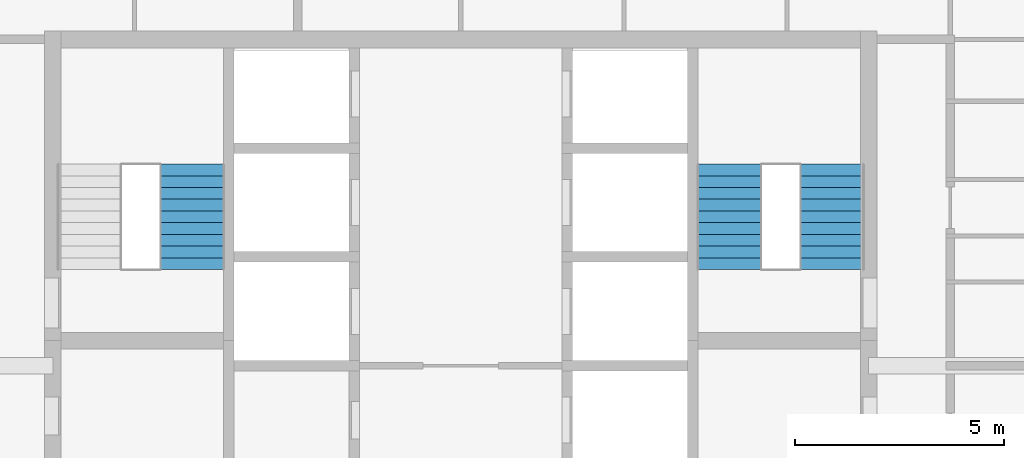
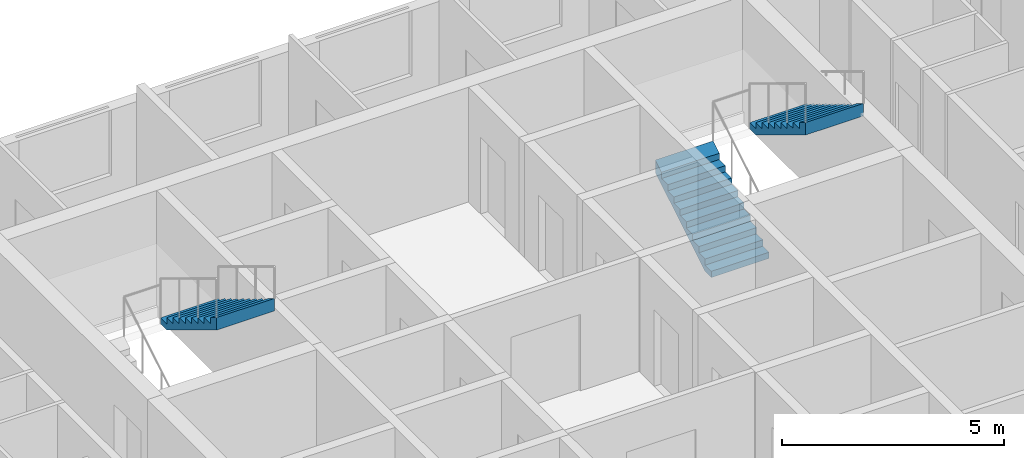
# One storey, part 14 of 15: 3 stair flights, 2 elements without a shape of their own.
"""IFC4 building model written with IfcOpenShell, lengths in metres."""

from ifc_helpers import new_model, si_unit, direction, frame, origin, place, context, subcontext, project, spatial, triangles, material, type_object, element, aggregate, save


model = new_model("IFC4")

# Units and contexts
model_context = context("Model", 3, precision=1e-05, world=origin(), true_north=direction((0.0, 1.0)))
body_context = subcontext(model_context, "Body", "Model", "MODEL_VIEW")
ifc_project = project(units=[si_unit("LENGTHUNIT", "METRE"), si_unit("AREAUNIT", "SQUARE_METRE"), si_unit("VOLUMEUNIT", "CUBIC_METRE"), si_unit("PLANEANGLEUNIT", "RADIAN"), si_unit("MASSUNIT", "GRAM", prefix="KILO")], contexts=[model_context])

# Site, building, storey
site_placement = place(None, origin())
site = spatial("IfcSite", under=ifc_project, at=site_placement, CompositionType="ELEMENT")
building_placement = place(site_placement, origin())
building = spatial("IfcBuilding", under=site, at=building_placement, Name="Ludao Terraces", CompositionType="ELEMENT")
storey_placement = place(building_placement, frame((0.0, 0.0, 197.300048828125)))
storey = spatial("IfcBuildingStorey", under=building, at=storey_placement, Name="L53", CompositionType="ELEMENT", Elevation=197.300048828125)

# Stair, stair flight
ifc_material = material(Name="Concrete C40", Category="concrete")
stair_type = type_object("IfcStairType", Name="INT Stair", PredefinedType="HALF_TURN_STAIR", material=ifc_material)
stair_1_placement = place(storey_placement, origin())
stair_1 = element("IfcStair", 1, at=stair_1_placement, inside=storey, type_object=stair_type, Name="EXIT STAIR 1", PredefinedType="HALF_TURN_STAIR")
stair_flight_type = type_object("IfcStairFlightType", Name="INT Stair flight", PredefinedType="STRAIGHT", material=ifc_material)
stair_flight_1_placement = place(storey_placement, frame((78.574951171875, 81.52001953125, 1.699951171875), z_axis=(0.0, 0.0, 1.0), x_axis=(0.0, -1.0, 0.0)))
stair_flight_1 = element("IfcStairFlight", 2, at=stair_flight_1_placement, type_object=stair_flight_type, Name="ST1 flight 2", NumberOfRisers=10, NumberOfTreads=9, PredefinedType="STRAIGHT", RiserHeight=0.17, TreadLength=0.28, context=body_context, shape_type="Tessellation", body=[
    triangles([(0.0, -0.75, 0.0), (0.0, -0.5, 0.0), (0.0, -0.25, 0.0), (0.0, 0.0, 0.0), (0.0, 0.25, 0.0), (0.0, 0.5, 0.0), (0.0, 0.75, 0.0), (0.0, -0.75, 0.169921875), (0.0, -0.5, 0.169921875), (0.0, -0.25, 0.169921875), (0.0, 0.0, 0.169921875), (0.0, 0.25, 0.169921875), (0.0, 0.5, 0.169921875), (0.0, 0.75, 0.169921875), (0.280029296875, -0.75, 0.169921875), (0.280029296875, -0.5, 0.169921875), (0.280029296875, -0.25, 0.169921875), (0.280029296875, 0.0, 0.169921875), (0.280029296875, 0.25, 0.169921875), (0.280029296875, 0.5, 0.169921875), (0.280029296875, 0.75, 0.169921875), (0.280029296875, -0.75, 0.340087890625), (0.280029296875, -0.5, 0.340087890625), (0.280029296875, -0.25, 0.340087890625), (0.280029296875, 0.0, 0.340087890625), (0.280029296875, 0.25, 0.340087890625), (0.280029296875, 0.5, 0.340087890625), (0.280029296875, 0.75, 0.340087890625), (0.56005859375, -0.75, 0.340087890625), (0.56005859375, -0.5, 0.340087890625), (0.56005859375, -0.25, 0.340087890625), (0.56005859375, 0.0, 0.340087890625), (0.56005859375, 0.25, 0.340087890625), (0.56005859375, 0.5, 0.340087890625), (0.56005859375, 0.75, 0.340087890625), (0.56005859375, -0.75, 0.510009765625), (0.56005859375, -0.5, 0.510009765625), (0.56005859375, -0.25, 0.510009765625), (0.56005859375, 0.0, 0.510009765625), (0.56005859375, 0.25, 0.510009765625), (0.56005859375, 0.5, 0.510009765625), (0.56005859375, 0.75, 0.510009765625), (0.840087890625, -0.75, 0.510009765625), (0.840087890625, -0.5, 0.510009765625), (0.840087890625, -0.25, 0.510009765625), (0.840087890625, 0.0, 0.510009765625), (0.840087890625, 0.25, 0.510009765625), (0.840087890625, 0.5, 0.510009765625), (0.840087890625, 0.75, 0.510009765625), (0.840087890625, -0.75, 0.679931640625), (0.840087890625, -0.5, 0.679931640625), (0.840087890625, -0.25, 0.679931640625), (0.840087890625, 0.0, 0.679931640625), (0.840087890625, 0.25, 0.679931640625), (0.840087890625, 0.5, 0.679931640625), (0.840087890625, 0.75, 0.679931640625), (1.1201171875, -0.75, 0.679931640625), (1.1201171875, -0.5, 0.679931640625), (1.1201171875, -0.25, 0.679931640625), (1.1201171875, 0.0, 0.679931640625), (1.1201171875, 0.25, 0.679931640625), (1.1201171875, 0.5, 0.679931640625), (1.1201171875, 0.75, 0.679931640625), (1.1201171875, -0.75, 0.85009765625), (1.1201171875, -0.5, 0.85009765625), (1.1201171875, -0.25, 0.85009765625), (1.1201171875, 0.0, 0.85009765625), (1.1201171875, 0.25, 0.85009765625), (1.1201171875, 0.5, 0.85009765625), (1.1201171875, 0.75, 0.85009765625), (1.39990234375, -0.75, 0.85009765625), (1.39990234375, -0.5, 0.85009765625), (1.39990234375, -0.25, 0.85009765625), (1.39990234375, 0.0, 0.85009765625), (1.39990234375, 0.25, 0.85009765625), (1.39990234375, 0.5, 0.85009765625), (1.39990234375, 0.75, 0.85009765625), (1.39990234375, -0.75, 1.02001953125), (1.39990234375, -0.5, 1.02001953125), (1.39990234375, -0.25, 1.02001953125), (1.39990234375, 0.0, 1.02001953125), (1.39990234375, 0.25, 1.02001953125), (1.39990234375, 0.5, 1.02001953125), (1.39990234375, 0.75, 1.02001953125), (1.679931640625, -0.75, 1.02001953125), (1.679931640625, -0.5, 1.02001953125), (1.679931640625, -0.25, 1.02001953125), (1.679931640625, 0.0, 1.02001953125), (1.679931640625, 0.25, 1.02001953125), (1.679931640625, 0.5, 1.02001953125), (1.679931640625, 0.75, 1.02001953125), (1.679931640625, -0.75, 1.18994140625), (1.679931640625, -0.5, 1.18994140625), (1.679931640625, -0.25, 1.18994140625), (1.679931640625, 0.0, 1.18994140625), (1.679931640625, 0.25, 1.18994140625), (1.679931640625, 0.5, 1.18994140625), (1.679931640625, 0.75, 1.18994140625), (1.9599609375, -0.75, 1.18994140625), (1.9599609375, -0.5, 1.18994140625), (1.9599609375, -0.25, 1.18994140625), (1.9599609375, 0.0, 1.18994140625), (1.9599609375, 0.25, 1.18994140625), (1.9599609375, 0.5, 1.18994140625), (1.9599609375, 0.75, 1.18994140625), (1.9599609375, -0.75, 1.360107421875), (1.9599609375, -0.5, 1.360107421875), (1.9599609375, -0.25, 1.360107421875), (1.9599609375, 0.0, 1.360107421875), (1.9599609375, 0.25, 1.360107421875), (1.9599609375, 0.5, 1.360107421875), (1.9599609375, 0.75, 1.360107421875), (2.239990234375, -0.75, 1.360107421875), (2.239990234375, -0.5, 1.360107421875), (2.239990234375, -0.25, 1.360107421875), (2.239990234375, 0.0, 1.360107421875), (2.239990234375, 0.25, 1.360107421875), (2.239990234375, 0.5, 1.360107421875), (2.239990234375, 0.75, 1.360107421875), (2.239990234375, -0.75, 1.530029296875), (2.239990234375, -0.5, 1.530029296875), (2.239990234375, -0.25, 1.530029296875), (2.239990234375, 0.0, 1.530029296875), (2.239990234375, 0.25, 1.530029296875), (2.239990234375, 0.5, 1.530029296875), (2.239990234375, 0.75, 1.530029296875), (2.52001953125, -0.75, 1.699951171875), (2.52001953125, -0.5, 1.699951171875), (2.52001953125, -0.25, 1.699951171875), (2.52001953125, 0.0, 1.699951171875), (2.52001953125, 0.25, 1.699951171875), (2.52001953125, 0.5, 1.699951171875), (2.52001953125, 0.75, 1.699951171875), (2.52001953125, -0.75, 1.354736328125), (2.52001953125, -0.5, 1.354736328125), (2.52001953125, -0.25, 1.354736328125), (2.52001953125, 0.0, 1.354736328125), (2.52001953125, 0.25, 1.354736328125), (2.52001953125, 0.5, 1.354736328125), (2.52001953125, 0.75, 1.354736328125), (0.288818359375, -0.75, 0.0), (0.288818359375, -0.5, 0.0), (0.288818359375, -0.25, 0.0), (0.288818359375, 0.0, 0.0), (0.288818359375, 0.25, 0.0), (0.288818359375, 0.5, 0.0), (0.288818359375, 0.75, 0.0)], [[1, 141, 134], [7, 140, 147], [134, 127, 120], [140, 126, 133], [134, 120, 113], [140, 119, 126], [134, 113, 106], [140, 112, 119], [134, 106, 99], [140, 105, 112], [99, 92, 85], [105, 91, 98], [134, 99, 85], [140, 91, 105], [85, 78, 71], [91, 77, 84], [134, 85, 71], [140, 77, 91], [71, 64, 57], [77, 63, 70], [134, 71, 57], [140, 63, 77], [57, 50, 43], [63, 49, 56], [134, 57, 43], [140, 49, 63], [43, 36, 29], [49, 35, 42], [134, 43, 29], [140, 35, 49], [29, 22, 15], [35, 21, 28], [134, 29, 15], [140, 21, 35], [1, 134, 15], [7, 21, 140], [15, 8, 1], [21, 7, 14], [1, 9, 2], [1, 8, 9], [2, 10, 3], [2, 9, 10], [3, 11, 4], [3, 10, 11], [4, 12, 5], [4, 11, 12], [5, 13, 6], [5, 12, 13], [6, 14, 7], [6, 13, 14], [8, 16, 9], [8, 15, 16], [9, 17, 10], [9, 16, 17], [10, 18, 11], [10, 17, 18], [11, 19, 12], [11, 18, 19], [12, 20, 13], [12, 19, 20], [13, 21, 14], [13, 20, 21], [15, 23, 16], [15, 22, 23], [16, 24, 17], [16, 23, 24], [17, 25, 18], [17, 24, 25], [18, 26, 19], [18, 25, 26], [19, 27, 20], [19, 26, 27], [20, 28, 21], [20, 27, 28], [22, 30, 23], [22, 29, 30], [23, 31, 24], [23, 30, 31], [24, 32, 25], [24, 31, 32], [25, 33, 26], [25, 32, 33], [26, 34, 27], [26, 33, 34], [27, 35, 28], [27, 34, 35], [29, 37, 30], [29, 36, 37], [30, 38, 31], [30, 37, 38], [31, 39, 32], [31, 38, 39], [32, 40, 33], [32, 39, 40], [33, 41, 34], [33, 40, 41], [34, 42, 35], [34, 41, 42], [36, 44, 37], [36, 43, 44], [37, 45, 38], [37, 44, 45], [38, 46, 39], [38, 45, 46], [39, 47, 40], [39, 46, 47], [40, 48, 41], [40, 47, 48], [41, 49, 42], [41, 48, 49], [43, 51, 44], [43, 50, 51], [44, 52, 45], [44, 51, 52], [45, 53, 46], [45, 52, 53], [46, 54, 47], [46, 53, 54], [47, 55, 48], [47, 54, 55], [48, 56, 49], [48, 55, 56], [50, 58, 51], [50, 57, 58], [51, 59, 52], [51, 58, 59], [52, 60, 53], [52, 59, 60], [53, 61, 54], [53, 60, 61], [54, 62, 55], [54, 61, 62], [55, 63, 56], [55, 62, 63], [57, 65, 58], [57, 64, 65], [58, 66, 59], [58, 65, 66], [59, 67, 60], [59, 66, 67], [60, 68, 61], [60, 67, 68], [61, 69, 62], [61, 68, 69], [62, 70, 63], [62, 69, 70], [64, 72, 65], [64, 71, 72], [65, 73, 66], [65, 72, 73], [66, 74, 67], [66, 73, 74], [67, 75, 68], [67, 74, 75], [68, 76, 69], [68, 75, 76], [69, 77, 70], [69, 76, 77], [71, 79, 72], [71, 78, 79], [72, 80, 73], [72, 79, 80], [73, 81, 74], [73, 80, 81], [74, 82, 75], [74, 81, 82], [75, 83, 76], [75, 82, 83], [76, 84, 77], [76, 83, 84], [78, 86, 79], [78, 85, 86], [79, 87, 80], [79, 86, 87], [80, 88, 81], [80, 87, 88], [81, 89, 82], [81, 88, 89], [82, 90, 83], [82, 89, 90], [83, 91, 84], [83, 90, 91], [85, 93, 86], [85, 92, 93], [86, 94, 87], [86, 93, 94], [87, 95, 88], [87, 94, 95], [88, 96, 89], [88, 95, 96], [89, 97, 90], [89, 96, 97], [90, 98, 91], [90, 97, 98], [92, 100, 93], [92, 99, 100], [93, 101, 94], [93, 100, 101], [94, 102, 95], [94, 101, 102], [95, 103, 96], [95, 102, 103], [96, 104, 97], [96, 103, 104], [97, 105, 98], [97, 104, 105], [99, 107, 100], [99, 106, 107], [100, 108, 101], [100, 107, 108], [101, 109, 102], [101, 108, 109], [102, 110, 103], [102, 109, 110], [103, 111, 104], [103, 110, 111], [104, 112, 105], [104, 111, 112], [106, 114, 107], [106, 113, 114], [107, 115, 108], [107, 114, 115], [108, 116, 109], [108, 115, 116], [109, 117, 110], [109, 116, 117], [110, 118, 111], [110, 117, 118], [111, 119, 112], [111, 118, 119], [113, 121, 114], [113, 120, 121], [114, 122, 115], [114, 121, 122], [115, 123, 116], [115, 122, 123], [116, 124, 117], [116, 123, 124], [117, 125, 118], [117, 124, 125], [118, 126, 119], [118, 125, 126], [120, 128, 121], [120, 127, 128], [121, 129, 122], [121, 128, 129], [122, 130, 123], [122, 129, 130], [123, 131, 124], [123, 130, 131], [124, 132, 125], [124, 131, 132], [125, 133, 126], [125, 132, 133], [127, 135, 128], [127, 134, 135], [128, 136, 129], [128, 135, 136], [129, 137, 130], [129, 136, 137], [130, 138, 131], [130, 137, 138], [131, 139, 132], [131, 138, 139], [132, 140, 133], [132, 139, 140], [134, 142, 135], [134, 141, 142], [135, 143, 136], [135, 142, 143], [136, 144, 137], [136, 143, 144], [137, 145, 138], [137, 144, 145], [138, 146, 139], [138, 145, 146], [139, 147, 140], [139, 146, 147], [141, 2, 142], [141, 1, 2], [142, 3, 143], [142, 2, 3], [143, 4, 144], [143, 3, 4], [144, 5, 145], [144, 4, 5], [145, 6, 146], [145, 5, 6], [146, 7, 147], [146, 6, 7]], closed=True),
])
aggregate(stair_1, [stair_flight_1])

# Stair, stair flights
stair_2_placement = place(storey_placement, origin())
stair_2 = element("IfcStair", 3, at=stair_2_placement, inside=storey, type_object=stair_type, Name="EXIT STAIR 2", PredefinedType="HALF_TURN_STAIR")
stair_flight_2_placement = place(storey_placement, frame((91.425048828125, 79.0, 0.0), z_axis=(0.0, 0.0, 1.0), x_axis=(0.0, 1.0, 0.0)))
stair_flight_2 = element("IfcStairFlight", 4, at=stair_flight_2_placement, type_object=stair_flight_type, Name="ST2 flight 1", NumberOfRisers=10, NumberOfTreads=9, PredefinedType="STRAIGHT", RiserHeight=0.17, TreadLength=0.28, context=body_context, shape_type="Tessellation", body=[
    triangles([(0.0, -0.75, 0.0), (0.0, -0.5, 0.0), (0.0, -0.25, 0.0), (0.0, 0.0, 0.0), (0.0, 0.25, 0.0), (0.0, 0.5, 0.0), (0.0, 0.75, 0.0), (0.0, -0.75, 0.169921875), (0.0, -0.5, 0.169921875), (0.0, -0.25, 0.169921875), (0.0, 0.0, 0.169921875), (0.0, 0.25, 0.169921875), (0.0, 0.5, 0.169921875), (0.0, 0.75, 0.169921875), (0.280029296875, -0.75, 0.169921875), (0.280029296875, -0.5, 0.169921875), (0.280029296875, -0.25, 0.169921875), (0.280029296875, 0.0, 0.169921875), (0.280029296875, 0.25, 0.169921875), (0.280029296875, 0.5, 0.169921875), (0.280029296875, 0.75, 0.169921875), (0.280029296875, -0.75, 0.340087890625), (0.280029296875, -0.5, 0.340087890625), (0.280029296875, -0.25, 0.340087890625), (0.280029296875, 0.0, 0.340087890625), (0.280029296875, 0.25, 0.340087890625), (0.280029296875, 0.5, 0.340087890625), (0.280029296875, 0.75, 0.340087890625), (0.56005859375, -0.75, 0.340087890625), (0.56005859375, -0.5, 0.340087890625), (0.56005859375, -0.25, 0.340087890625), (0.56005859375, 0.0, 0.340087890625), (0.56005859375, 0.25, 0.340087890625), (0.56005859375, 0.5, 0.340087890625), (0.56005859375, 0.75, 0.340087890625), (0.56005859375, -0.75, 0.510009765625), (0.56005859375, -0.5, 0.510009765625), (0.56005859375, -0.25, 0.510009765625), (0.56005859375, 0.0, 0.510009765625), (0.56005859375, 0.25, 0.510009765625), (0.56005859375, 0.5, 0.510009765625), (0.56005859375, 0.75, 0.510009765625), (0.840087890625, -0.75, 0.510009765625), (0.840087890625, -0.5, 0.510009765625), (0.840087890625, -0.25, 0.510009765625), (0.840087890625, 0.0, 0.510009765625), (0.840087890625, 0.25, 0.510009765625), (0.840087890625, 0.5, 0.510009765625), (0.840087890625, 0.75, 0.510009765625), (0.840087890625, -0.75, 0.679931640625), (0.840087890625, -0.5, 0.679931640625), (0.840087890625, -0.25, 0.679931640625), (0.840087890625, 0.0, 0.679931640625), (0.840087890625, 0.25, 0.679931640625), (0.840087890625, 0.5, 0.679931640625), (0.840087890625, 0.75, 0.679931640625), (1.1201171875, -0.75, 0.679931640625), (1.1201171875, -0.5, 0.679931640625), (1.1201171875, -0.25, 0.679931640625), (1.1201171875, 0.0, 0.679931640625), (1.1201171875, 0.25, 0.679931640625), (1.1201171875, 0.5, 0.679931640625), (1.1201171875, 0.75, 0.679931640625), (1.1201171875, -0.75, 0.85009765625), (1.1201171875, -0.5, 0.85009765625), (1.1201171875, -0.25, 0.85009765625), (1.1201171875, 0.0, 0.85009765625), (1.1201171875, 0.25, 0.85009765625), (1.1201171875, 0.5, 0.85009765625), (1.1201171875, 0.75, 0.85009765625), (1.39990234375, -0.75, 0.85009765625), (1.39990234375, -0.5, 0.85009765625), (1.39990234375, -0.25, 0.85009765625), (1.39990234375, 0.0, 0.85009765625), (1.39990234375, 0.25, 0.85009765625), (1.39990234375, 0.5, 0.85009765625), (1.39990234375, 0.75, 0.85009765625), (1.39990234375, -0.75, 1.02001953125), (1.39990234375, -0.5, 1.02001953125), (1.39990234375, -0.25, 1.02001953125), (1.39990234375, 0.0, 1.02001953125), (1.39990234375, 0.25, 1.02001953125), (1.39990234375, 0.5, 1.02001953125), (1.39990234375, 0.75, 1.02001953125), (1.679931640625, -0.75, 1.02001953125), (1.679931640625, -0.5, 1.02001953125), (1.679931640625, -0.25, 1.02001953125), (1.679931640625, 0.0, 1.02001953125), (1.679931640625, 0.25, 1.02001953125), (1.679931640625, 0.5, 1.02001953125), (1.679931640625, 0.75, 1.02001953125), (1.679931640625, -0.75, 1.18994140625), (1.679931640625, -0.5, 1.18994140625), (1.679931640625, -0.25, 1.18994140625), (1.679931640625, 0.0, 1.18994140625), (1.679931640625, 0.25, 1.18994140625), (1.679931640625, 0.5, 1.18994140625), (1.679931640625, 0.75, 1.18994140625), (1.9599609375, -0.75, 1.18994140625), (1.9599609375, -0.5, 1.18994140625), (1.9599609375, -0.25, 1.18994140625), (1.9599609375, 0.0, 1.18994140625), (1.9599609375, 0.25, 1.18994140625), (1.9599609375, 0.5, 1.18994140625), (1.9599609375, 0.75, 1.18994140625), (1.9599609375, -0.75, 1.360107421875), (1.9599609375, -0.5, 1.360107421875), (1.9599609375, -0.25, 1.360107421875), (1.9599609375, 0.0, 1.360107421875), (1.9599609375, 0.25, 1.360107421875), (1.9599609375, 0.5, 1.360107421875), (1.9599609375, 0.75, 1.360107421875), (2.239990234375, -0.75, 1.360107421875), (2.239990234375, -0.5, 1.360107421875), (2.239990234375, -0.25, 1.360107421875), (2.239990234375, 0.0, 1.360107421875), (2.239990234375, 0.25, 1.360107421875), (2.239990234375, 0.5, 1.360107421875), (2.239990234375, 0.75, 1.360107421875), (2.239990234375, -0.75, 1.530029296875), (2.239990234375, -0.5, 1.530029296875), (2.239990234375, -0.25, 1.530029296875), (2.239990234375, 0.0, 1.530029296875), (2.239990234375, 0.25, 1.530029296875), (2.239990234375, 0.5, 1.530029296875), (2.239990234375, 0.75, 1.530029296875), (2.52001953125, -0.75, 1.699951171875), (2.52001953125, -0.5, 1.699951171875), (2.52001953125, -0.25, 1.699951171875), (2.52001953125, 0.0, 1.699951171875), (2.52001953125, 0.25, 1.699951171875), (2.52001953125, 0.5, 1.699951171875), (2.52001953125, 0.75, 1.699951171875), (2.52001953125, -0.75, 1.354736328125), (2.52001953125, -0.5, 1.354736328125), (2.52001953125, -0.25, 1.354736328125), (2.52001953125, 0.0, 1.354736328125), (2.52001953125, 0.25, 1.354736328125), (2.52001953125, 0.5, 1.354736328125), (2.52001953125, 0.75, 1.354736328125), (0.288818359375, -0.75, 0.0), (0.288818359375, -0.5, 0.0), (0.288818359375, -0.25, 0.0), (0.288818359375, 0.0, 0.0), (0.288818359375, 0.25, 0.0), (0.288818359375, 0.5, 0.0), (0.288818359375, 0.75, 0.0)], [[1, 141, 134], [7, 140, 147], [134, 127, 120], [140, 126, 133], [134, 120, 113], [140, 119, 126], [134, 113, 106], [140, 112, 119], [134, 106, 99], [140, 105, 112], [99, 92, 85], [105, 91, 98], [134, 99, 85], [140, 91, 105], [85, 78, 71], [91, 77, 84], [134, 85, 71], [140, 77, 91], [71, 64, 57], [77, 63, 70], [134, 71, 57], [140, 63, 77], [57, 50, 43], [63, 49, 56], [134, 57, 43], [140, 49, 63], [43, 36, 29], [49, 35, 42], [134, 43, 29], [140, 35, 49], [29, 22, 15], [35, 21, 28], [134, 29, 15], [140, 21, 35], [1, 134, 15], [7, 21, 140], [15, 8, 1], [21, 7, 14], [1, 9, 2], [1, 8, 9], [2, 10, 3], [2, 9, 10], [3, 11, 4], [3, 10, 11], [4, 12, 5], [4, 11, 12], [5, 13, 6], [5, 12, 13], [6, 14, 7], [6, 13, 14], [8, 16, 9], [8, 15, 16], [9, 17, 10], [9, 16, 17], [10, 18, 11], [10, 17, 18], [11, 19, 12], [11, 18, 19], [12, 20, 13], [12, 19, 20], [13, 21, 14], [13, 20, 21], [15, 23, 16], [15, 22, 23], [16, 24, 17], [16, 23, 24], [17, 25, 18], [17, 24, 25], [18, 26, 19], [18, 25, 26], [19, 27, 20], [19, 26, 27], [20, 28, 21], [20, 27, 28], [22, 30, 23], [22, 29, 30], [23, 31, 24], [23, 30, 31], [24, 32, 25], [24, 31, 32], [25, 33, 26], [25, 32, 33], [26, 34, 27], [26, 33, 34], [27, 35, 28], [27, 34, 35], [29, 37, 30], [29, 36, 37], [30, 38, 31], [30, 37, 38], [31, 39, 32], [31, 38, 39], [32, 40, 33], [32, 39, 40], [33, 41, 34], [33, 40, 41], [34, 42, 35], [34, 41, 42], [36, 44, 37], [36, 43, 44], [37, 45, 38], [37, 44, 45], [38, 46, 39], [38, 45, 46], [39, 47, 40], [39, 46, 47], [40, 48, 41], [40, 47, 48], [41, 49, 42], [41, 48, 49], [43, 51, 44], [43, 50, 51], [44, 52, 45], [44, 51, 52], [45, 53, 46], [45, 52, 53], [46, 54, 47], [46, 53, 54], [47, 55, 48], [47, 54, 55], [48, 56, 49], [48, 55, 56], [50, 58, 51], [50, 57, 58], [51, 59, 52], [51, 58, 59], [52, 60, 53], [52, 59, 60], [53, 61, 54], [53, 60, 61], [54, 62, 55], [54, 61, 62], [55, 63, 56], [55, 62, 63], [57, 65, 58], [57, 64, 65], [58, 66, 59], [58, 65, 66], [59, 67, 60], [59, 66, 67], [60, 68, 61], [60, 67, 68], [61, 69, 62], [61, 68, 69], [62, 70, 63], [62, 69, 70], [64, 72, 65], [64, 71, 72], [65, 73, 66], [65, 72, 73], [66, 74, 67], [66, 73, 74], [67, 75, 68], [67, 74, 75], [68, 76, 69], [68, 75, 76], [69, 77, 70], [69, 76, 77], [71, 79, 72], [71, 78, 79], [72, 80, 73], [72, 79, 80], [73, 81, 74], [73, 80, 81], [74, 82, 75], [74, 81, 82], [75, 83, 76], [75, 82, 83], [76, 84, 77], [76, 83, 84], [78, 86, 79], [78, 85, 86], [79, 87, 80], [79, 86, 87], [80, 88, 81], [80, 87, 88], [81, 89, 82], [81, 88, 89], [82, 90, 83], [82, 89, 90], [83, 91, 84], [83, 90, 91], [85, 93, 86], [85, 92, 93], [86, 94, 87], [86, 93, 94], [87, 95, 88], [87, 94, 95], [88, 96, 89], [88, 95, 96], [89, 97, 90], [89, 96, 97], [90, 98, 91], [90, 97, 98], [92, 100, 93], [92, 99, 100], [93, 101, 94], [93, 100, 101], [94, 102, 95], [94, 101, 102], [95, 103, 96], [95, 102, 103], [96, 104, 97], [96, 103, 104], [97, 105, 98], [97, 104, 105], [99, 107, 100], [99, 106, 107], [100, 108, 101], [100, 107, 108], [101, 109, 102], [101, 108, 109], [102, 110, 103], [102, 109, 110], [103, 111, 104], [103, 110, 111], [104, 112, 105], [104, 111, 112], [106, 114, 107], [106, 113, 114], [107, 115, 108], [107, 114, 115], [108, 116, 109], [108, 115, 116], [109, 117, 110], [109, 116, 117], [110, 118, 111], [110, 117, 118], [111, 119, 112], [111, 118, 119], [113, 121, 114], [113, 120, 121], [114, 122, 115], [114, 121, 122], [115, 123, 116], [115, 122, 123], [116, 124, 117], [116, 123, 124], [117, 125, 118], [117, 124, 125], [118, 126, 119], [118, 125, 126], [120, 128, 121], [120, 127, 128], [121, 129, 122], [121, 128, 129], [122, 130, 123], [122, 129, 130], [123, 131, 124], [123, 130, 131], [124, 132, 125], [124, 131, 132], [125, 133, 126], [125, 132, 133], [127, 135, 128], [127, 134, 135], [128, 136, 129], [128, 135, 136], [129, 137, 130], [129, 136, 137], [130, 138, 131], [130, 137, 138], [131, 139, 132], [131, 138, 139], [132, 140, 133], [132, 139, 140], [134, 142, 135], [134, 141, 142], [135, 143, 136], [135, 142, 143], [136, 144, 137], [136, 143, 144], [137, 145, 138], [137, 144, 145], [138, 146, 139], [138, 145, 146], [139, 147, 140], [139, 146, 147], [141, 2, 142], [141, 1, 2], [142, 3, 143], [142, 2, 3], [143, 4, 144], [143, 3, 4], [144, 5, 145], [144, 4, 5], [145, 6, 146], [145, 5, 6], [146, 7, 147], [146, 6, 7]], closed=True),
])
stair_flight_3_placement = place(storey_placement, frame((93.875, 81.52001953125, 1.699951171875), z_axis=(0.0, 0.0, 1.0), x_axis=(0.0, -1.0, 0.0)))
stair_flight_3 = element("IfcStairFlight", 5, at=stair_flight_3_placement, type_object=stair_flight_type, Name="ST2 flight 2", NumberOfRisers=10, NumberOfTreads=9, PredefinedType="STRAIGHT", RiserHeight=0.17, TreadLength=0.28, context=body_context, shape_type="Tessellation", body=[
    triangles([(0.0, -0.75, 0.0), (0.0, -0.5, 0.0), (0.0, -0.25, 0.0), (0.0, 0.0, 0.0), (0.0, 0.25, 0.0), (0.0, 0.5, 0.0), (0.0, 0.75, 0.0), (0.0, -0.75, 0.169921875), (0.0, -0.5, 0.169921875), (0.0, -0.25, 0.169921875), (0.0, 0.0, 0.169921875), (0.0, 0.25, 0.169921875), (0.0, 0.5, 0.169921875), (0.0, 0.75, 0.169921875), (0.280029296875, -0.75, 0.169921875), (0.280029296875, -0.5, 0.169921875), (0.280029296875, -0.25, 0.169921875), (0.280029296875, 0.0, 0.169921875), (0.280029296875, 0.25, 0.169921875), (0.280029296875, 0.5, 0.169921875), (0.280029296875, 0.75, 0.169921875), (0.280029296875, -0.75, 0.340087890625), (0.280029296875, -0.5, 0.340087890625), (0.280029296875, -0.25, 0.340087890625), (0.280029296875, 0.0, 0.340087890625), (0.280029296875, 0.25, 0.340087890625), (0.280029296875, 0.5, 0.340087890625), (0.280029296875, 0.75, 0.340087890625), (0.56005859375, -0.75, 0.340087890625), (0.56005859375, -0.5, 0.340087890625), (0.56005859375, -0.25, 0.340087890625), (0.56005859375, 0.0, 0.340087890625), (0.56005859375, 0.25, 0.340087890625), (0.56005859375, 0.5, 0.340087890625), (0.56005859375, 0.75, 0.340087890625), (0.56005859375, -0.75, 0.510009765625), (0.56005859375, -0.5, 0.510009765625), (0.56005859375, -0.25, 0.510009765625), (0.56005859375, 0.0, 0.510009765625), (0.56005859375, 0.25, 0.510009765625), (0.56005859375, 0.5, 0.510009765625), (0.56005859375, 0.75, 0.510009765625), (0.840087890625, -0.75, 0.510009765625), (0.840087890625, -0.5, 0.510009765625), (0.840087890625, -0.25, 0.510009765625), (0.840087890625, 0.0, 0.510009765625), (0.840087890625, 0.25, 0.510009765625), (0.840087890625, 0.5, 0.510009765625), (0.840087890625, 0.75, 0.510009765625), (0.840087890625, -0.75, 0.679931640625), (0.840087890625, -0.5, 0.679931640625), (0.840087890625, -0.25, 0.679931640625), (0.840087890625, 0.0, 0.679931640625), (0.840087890625, 0.25, 0.679931640625), (0.840087890625, 0.5, 0.679931640625), (0.840087890625, 0.75, 0.679931640625), (1.1201171875, -0.75, 0.679931640625), (1.1201171875, -0.5, 0.679931640625), (1.1201171875, -0.25, 0.679931640625), (1.1201171875, 0.0, 0.679931640625), (1.1201171875, 0.25, 0.679931640625), (1.1201171875, 0.5, 0.679931640625), (1.1201171875, 0.75, 0.679931640625), (1.1201171875, -0.75, 0.85009765625), (1.1201171875, -0.5, 0.85009765625), (1.1201171875, -0.25, 0.85009765625), (1.1201171875, 0.0, 0.85009765625), (1.1201171875, 0.25, 0.85009765625), (1.1201171875, 0.5, 0.85009765625), (1.1201171875, 0.75, 0.85009765625), (1.39990234375, -0.75, 0.85009765625), (1.39990234375, -0.5, 0.85009765625), (1.39990234375, -0.25, 0.85009765625), (1.39990234375, 0.0, 0.85009765625), (1.39990234375, 0.25, 0.85009765625), (1.39990234375, 0.5, 0.85009765625), (1.39990234375, 0.75, 0.85009765625), (1.39990234375, -0.75, 1.02001953125), (1.39990234375, -0.5, 1.02001953125), (1.39990234375, -0.25, 1.02001953125), (1.39990234375, 0.0, 1.02001953125), (1.39990234375, 0.25, 1.02001953125), (1.39990234375, 0.5, 1.02001953125), (1.39990234375, 0.75, 1.02001953125), (1.679931640625, -0.75, 1.02001953125), (1.679931640625, -0.5, 1.02001953125), (1.679931640625, -0.25, 1.02001953125), (1.679931640625, 0.0, 1.02001953125), (1.679931640625, 0.25, 1.02001953125), (1.679931640625, 0.5, 1.02001953125), (1.679931640625, 0.75, 1.02001953125), (1.679931640625, -0.75, 1.18994140625), (1.679931640625, -0.5, 1.18994140625), (1.679931640625, -0.25, 1.18994140625), (1.679931640625, 0.0, 1.18994140625), (1.679931640625, 0.25, 1.18994140625), (1.679931640625, 0.5, 1.18994140625), (1.679931640625, 0.75, 1.18994140625), (1.9599609375, -0.75, 1.18994140625), (1.9599609375, -0.5, 1.18994140625), (1.9599609375, -0.25, 1.18994140625), (1.9599609375, 0.0, 1.18994140625), (1.9599609375, 0.25, 1.18994140625), (1.9599609375, 0.5, 1.18994140625), (1.9599609375, 0.75, 1.18994140625), (1.9599609375, -0.75, 1.360107421875), (1.9599609375, -0.5, 1.360107421875), (1.9599609375, -0.25, 1.360107421875), (1.9599609375, 0.0, 1.360107421875), (1.9599609375, 0.25, 1.360107421875), (1.9599609375, 0.5, 1.360107421875), (1.9599609375, 0.75, 1.360107421875), (2.239990234375, -0.75, 1.360107421875), (2.239990234375, -0.5, 1.360107421875), (2.239990234375, -0.25, 1.360107421875), (2.239990234375, 0.0, 1.360107421875), (2.239990234375, 0.25, 1.360107421875), (2.239990234375, 0.5, 1.360107421875), (2.239990234375, 0.75, 1.360107421875), (2.239990234375, -0.75, 1.530029296875), (2.239990234375, -0.5, 1.530029296875), (2.239990234375, -0.25, 1.530029296875), (2.239990234375, 0.0, 1.530029296875), (2.239990234375, 0.25, 1.530029296875), (2.239990234375, 0.5, 1.530029296875), (2.239990234375, 0.75, 1.530029296875), (2.52001953125, -0.75, 1.699951171875), (2.52001953125, -0.5, 1.699951171875), (2.52001953125, -0.25, 1.699951171875), (2.52001953125, 0.0, 1.699951171875), (2.52001953125, 0.25, 1.699951171875), (2.52001953125, 0.5, 1.699951171875), (2.52001953125, 0.75, 1.699951171875), (2.52001953125, -0.75, 1.354736328125), (2.52001953125, -0.5, 1.354736328125), (2.52001953125, -0.25, 1.354736328125), (2.52001953125, 0.0, 1.354736328125), (2.52001953125, 0.25, 1.354736328125), (2.52001953125, 0.5, 1.354736328125), (2.52001953125, 0.75, 1.354736328125), (0.288818359375, -0.75, 0.0), (0.288818359375, -0.5, 0.0), (0.288818359375, -0.25, 0.0), (0.288818359375, 0.0, 0.0), (0.288818359375, 0.25, 0.0), (0.288818359375, 0.5, 0.0), (0.288818359375, 0.75, 0.0)], [[1, 141, 134], [7, 140, 147], [134, 127, 120], [140, 126, 133], [134, 120, 113], [140, 119, 126], [134, 113, 106], [140, 112, 119], [134, 106, 99], [140, 105, 112], [99, 92, 85], [105, 91, 98], [134, 99, 85], [140, 91, 105], [85, 78, 71], [91, 77, 84], [134, 85, 71], [140, 77, 91], [71, 64, 57], [77, 63, 70], [134, 71, 57], [140, 63, 77], [57, 50, 43], [63, 49, 56], [134, 57, 43], [140, 49, 63], [43, 36, 29], [49, 35, 42], [134, 43, 29], [140, 35, 49], [29, 22, 15], [35, 21, 28], [134, 29, 15], [140, 21, 35], [1, 134, 15], [7, 21, 140], [15, 8, 1], [21, 7, 14], [1, 9, 2], [1, 8, 9], [2, 10, 3], [2, 9, 10], [3, 11, 4], [3, 10, 11], [4, 12, 5], [4, 11, 12], [5, 13, 6], [5, 12, 13], [6, 14, 7], [6, 13, 14], [8, 16, 9], [8, 15, 16], [9, 17, 10], [9, 16, 17], [10, 18, 11], [10, 17, 18], [11, 19, 12], [11, 18, 19], [12, 20, 13], [12, 19, 20], [13, 21, 14], [13, 20, 21], [15, 23, 16], [15, 22, 23], [16, 24, 17], [16, 23, 24], [17, 25, 18], [17, 24, 25], [18, 26, 19], [18, 25, 26], [19, 27, 20], [19, 26, 27], [20, 28, 21], [20, 27, 28], [22, 30, 23], [22, 29, 30], [23, 31, 24], [23, 30, 31], [24, 32, 25], [24, 31, 32], [25, 33, 26], [25, 32, 33], [26, 34, 27], [26, 33, 34], [27, 35, 28], [27, 34, 35], [29, 37, 30], [29, 36, 37], [30, 38, 31], [30, 37, 38], [31, 39, 32], [31, 38, 39], [32, 40, 33], [32, 39, 40], [33, 41, 34], [33, 40, 41], [34, 42, 35], [34, 41, 42], [36, 44, 37], [36, 43, 44], [37, 45, 38], [37, 44, 45], [38, 46, 39], [38, 45, 46], [39, 47, 40], [39, 46, 47], [40, 48, 41], [40, 47, 48], [41, 49, 42], [41, 48, 49], [43, 51, 44], [43, 50, 51], [44, 52, 45], [44, 51, 52], [45, 53, 46], [45, 52, 53], [46, 54, 47], [46, 53, 54], [47, 55, 48], [47, 54, 55], [48, 56, 49], [48, 55, 56], [50, 58, 51], [50, 57, 58], [51, 59, 52], [51, 58, 59], [52, 60, 53], [52, 59, 60], [53, 61, 54], [53, 60, 61], [54, 62, 55], [54, 61, 62], [55, 63, 56], [55, 62, 63], [57, 65, 58], [57, 64, 65], [58, 66, 59], [58, 65, 66], [59, 67, 60], [59, 66, 67], [60, 68, 61], [60, 67, 68], [61, 69, 62], [61, 68, 69], [62, 70, 63], [62, 69, 70], [64, 72, 65], [64, 71, 72], [65, 73, 66], [65, 72, 73], [66, 74, 67], [66, 73, 74], [67, 75, 68], [67, 74, 75], [68, 76, 69], [68, 75, 76], [69, 77, 70], [69, 76, 77], [71, 79, 72], [71, 78, 79], [72, 80, 73], [72, 79, 80], [73, 81, 74], [73, 80, 81], [74, 82, 75], [74, 81, 82], [75, 83, 76], [75, 82, 83], [76, 84, 77], [76, 83, 84], [78, 86, 79], [78, 85, 86], [79, 87, 80], [79, 86, 87], [80, 88, 81], [80, 87, 88], [81, 89, 82], [81, 88, 89], [82, 90, 83], [82, 89, 90], [83, 91, 84], [83, 90, 91], [85, 93, 86], [85, 92, 93], [86, 94, 87], [86, 93, 94], [87, 95, 88], [87, 94, 95], [88, 96, 89], [88, 95, 96], [89, 97, 90], [89, 96, 97], [90, 98, 91], [90, 97, 98], [92, 100, 93], [92, 99, 100], [93, 101, 94], [93, 100, 101], [94, 102, 95], [94, 101, 102], [95, 103, 96], [95, 102, 103], [96, 104, 97], [96, 103, 104], [97, 105, 98], [97, 104, 105], [99, 107, 100], [99, 106, 107], [100, 108, 101], [100, 107, 108], [101, 109, 102], [101, 108, 109], [102, 110, 103], [102, 109, 110], [103, 111, 104], [103, 110, 111], [104, 112, 105], [104, 111, 112], [106, 114, 107], [106, 113, 114], [107, 115, 108], [107, 114, 115], [108, 116, 109], [108, 115, 116], [109, 117, 110], [109, 116, 117], [110, 118, 111], [110, 117, 118], [111, 119, 112], [111, 118, 119], [113, 121, 114], [113, 120, 121], [114, 122, 115], [114, 121, 122], [115, 123, 116], [115, 122, 123], [116, 124, 117], [116, 123, 124], [117, 125, 118], [117, 124, 125], [118, 126, 119], [118, 125, 126], [120, 128, 121], [120, 127, 128], [121, 129, 122], [121, 128, 129], [122, 130, 123], [122, 129, 130], [123, 131, 124], [123, 130, 131], [124, 132, 125], [124, 131, 132], [125, 133, 126], [125, 132, 133], [127, 135, 128], [127, 134, 135], [128, 136, 129], [128, 135, 136], [129, 137, 130], [129, 136, 137], [130, 138, 131], [130, 137, 138], [131, 139, 132], [131, 138, 139], [132, 140, 133], [132, 139, 140], [134, 142, 135], [134, 141, 142], [135, 143, 136], [135, 142, 143], [136, 144, 137], [136, 143, 144], [137, 145, 138], [137, 144, 145], [138, 146, 139], [138, 145, 146], [139, 147, 140], [139, 146, 147], [141, 2, 142], [141, 1, 2], [142, 3, 143], [142, 2, 3], [143, 4, 144], [143, 3, 4], [144, 5, 145], [144, 4, 5], [145, 6, 146], [145, 5, 6], [146, 7, 147], [146, 6, 7]], closed=True),
])
aggregate(stair_2, [stair_flight_2, stair_flight_3])

save(model, "model.ifc")
